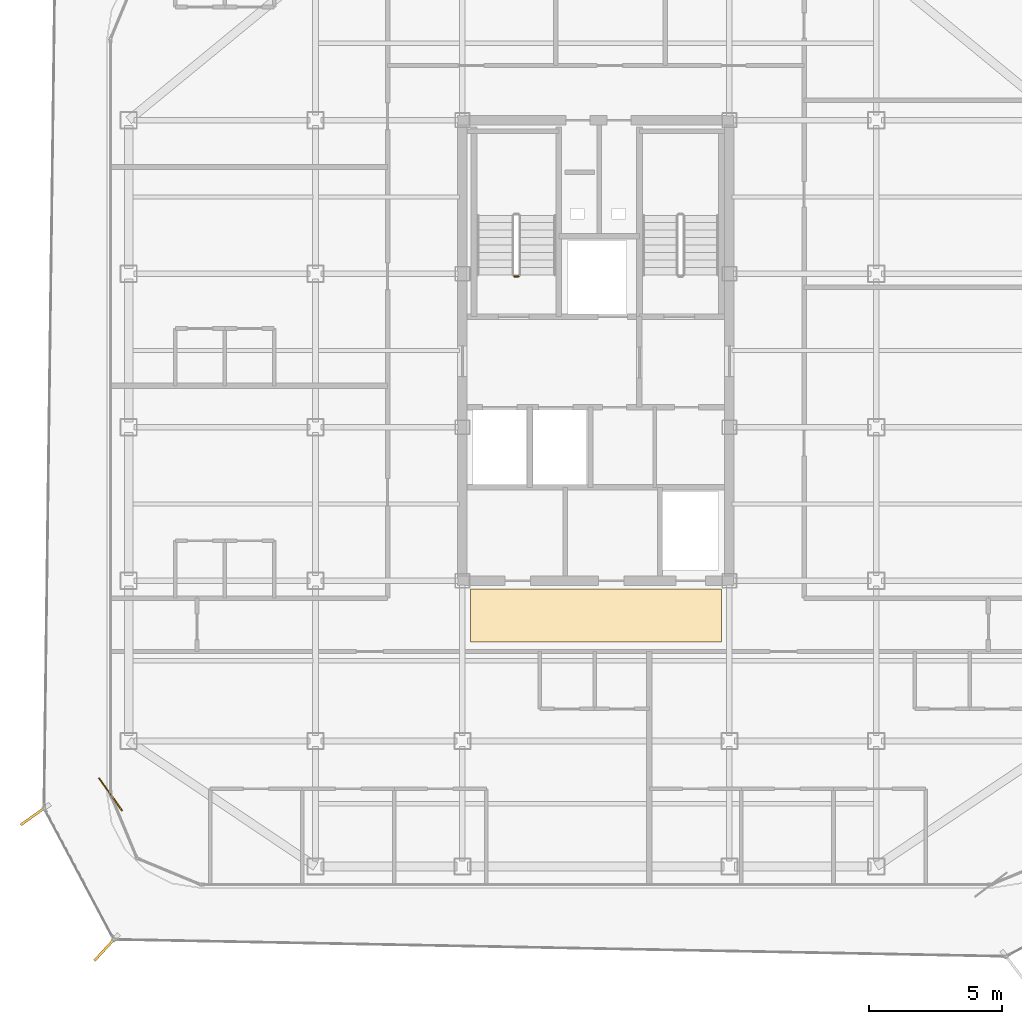
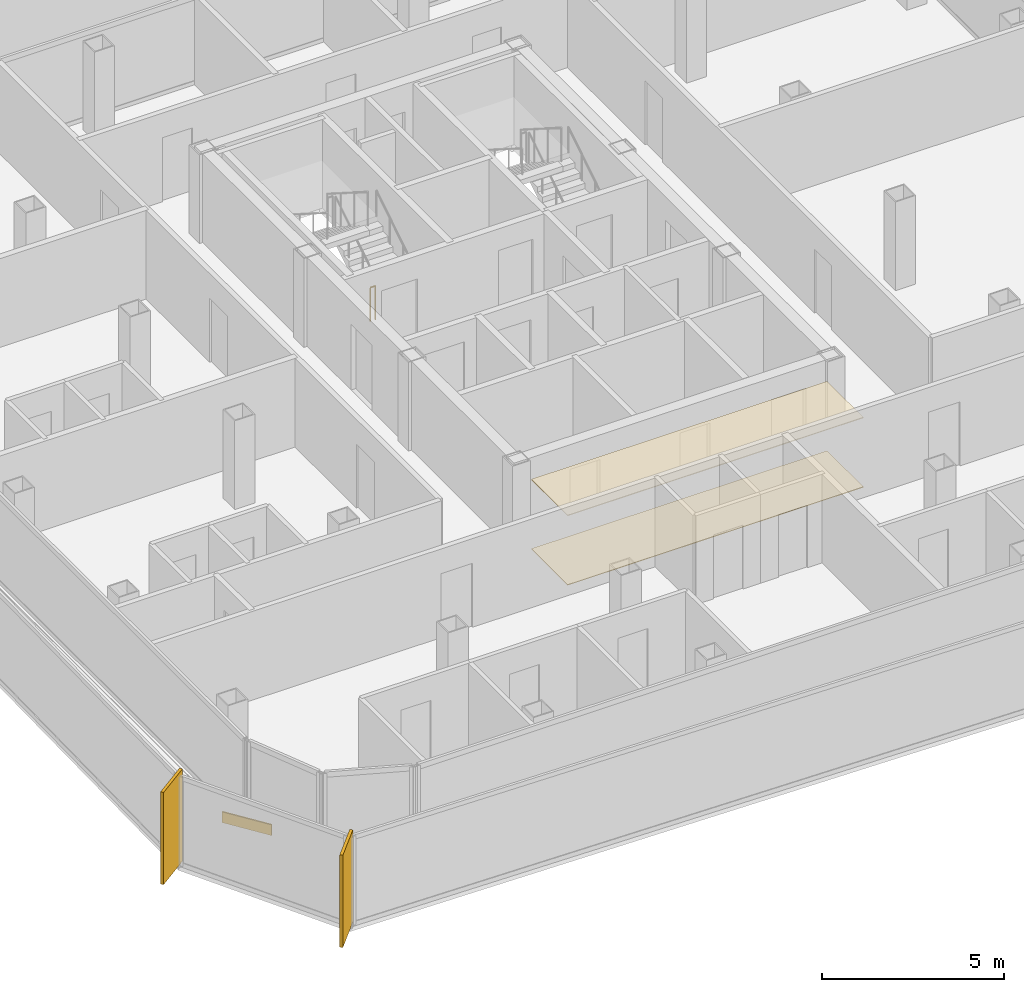
# One storey, part 13 of 15: 3 coverings, 2 shading devices, 1 railing.
"""IFC4 building model written with IfcOpenShell, lengths in metres."""

from ifc_helpers import new_model, si_unit, direction, frame, origin, origin_2d, place, context, subcontext, project, spatial, polyline, rectangle, circle, outline, extrude, source, transform, mapped, material, layer, layer_set, type_object, element, save


model = new_model("IFC4")

# Units and contexts
model_context = context("Model", 3, precision=1e-05, world=origin(), true_north=direction((0.0, 1.0)))
body_context = subcontext(model_context, "Body", "Model", "MODEL_VIEW")
ifc_project = project(units=[si_unit("LENGTHUNIT", "METRE"), si_unit("AREAUNIT", "SQUARE_METRE"), si_unit("VOLUMEUNIT", "CUBIC_METRE"), si_unit("PLANEANGLEUNIT", "RADIAN"), si_unit("MASSUNIT", "GRAM", prefix="KILO")], contexts=[model_context])

# Site, building, storey
site_placement = place(None, origin())
site = spatial("IfcSite", under=ifc_project, at=site_placement, CompositionType="ELEMENT")
building_placement = place(site_placement, origin())
building = spatial("IfcBuilding", under=site, at=building_placement, Name="Kolveth Station Tower", CompositionType="ELEMENT")
storey_placement = place(building_placement, frame((0.0, 0.0, 261.699951171875)))
storey = spatial("IfcBuildingStorey", under=building, at=storey_placement, Name="L75", CompositionType="ELEMENT", Elevation=261.699951171875)

# Coverings
ifc_material_1 = material(Name="Acoustic mineral-fibre ceiling tile")
ifc_layer_1 = layer(ifc_material_1, 0.02490234375)
ifc_layer_set_1 = layer_set([ifc_layer_1], Name="Acoustic mineral-fibre ceiling tile")
covering_type_1 = type_object("IfcCoveringType", Name="Ceil_CL1", PredefinedType="CEILING", material=ifc_layer_set_1)
covering_1_placement = place(storey_placement, frame((0.0, 0.0, 2.330078125)))
element("IfcCovering", 1, at=covering_1_placement, inside=storey, type_object=covering_type_1, Name="L75 Lift Lobby Suspended Ceiling", PredefinedType="CEILING", context=body_context, shape_type="SweptSolid", body=[
    extrude(outline(polyline([(18.800048828125, 9.199951171875), (28.199951171875, 9.199951171875), (28.199951171875, 11.199951171875), (18.800048828125, 11.199951171875), (18.800048828125, 9.199951171875)])), origin(), (0.0, 0.0, 1.0), 0.02490234375),
])
ifc_material_2 = material(Name="Honed terrazzo flooring")
ifc_layer_2 = layer(ifc_material_2, 0.02001953125)
ifc_layer_set_2 = layer_set([ifc_layer_2], Name="Honed terrazzo flooring")
covering_type_2 = type_object("IfcCoveringType", Name="Floor_FL1", PredefinedType="FLOORING", material=ifc_layer_set_2)
covering_2_placement = place(storey_placement, origin())
element("IfcCovering", 2, at=covering_2_placement, inside=storey, type_object=covering_type_2, Name="L75 Lift Lobby Floor Finish", PredefinedType="FLOORING", context=body_context, shape_type="SweptSolid", body=[
    extrude(outline(polyline([(18.800048828125, 9.199951171875), (28.199951171875, 9.199951171875), (28.199951171875, 11.199951171875), (18.800048828125, 11.199951171875), (18.800048828125, 9.199951171875)])), origin(), (0.0, 0.0, 1.0), 0.02001953125),
])

# Railing
ifc_material_3 = material(Name="Painted Steel S355 balustrade", Category="steel")
railing_type = type_object("IfcRailingType", Name="Guard_GR2", PredefinedType="BALUSTRADE", material=ifc_material_3)
railing_placement = place(storey_placement, frame((20.60009765625, 22.89990234375, 0.0)))
element("IfcRailing", 3, at=railing_placement, inside=storey, type_object=railing_type, Name="L75 ST1 stair guard 4", PredefinedType="BALUSTRADE", context=body_context, shape_type="SweptSolid", body=[
    extrude(circle(Radius=0.02392578125, at=origin_2d()), frame((0.0, 0.0, 1.1259765625), z_axis=(-1.0, 0.0, 0.0), x_axis=(0.0, -1.0, 0.0)), (0.0, 0.0, 1.0), 0.16015625),
    extrude(circle(Radius=0.02099609375, at=origin_2d()), origin(), (0.0, 0.0, 1.0), 1.101806640625),
    extrude(circle(Radius=0.02099609375, at=origin_2d()), frame((-0.16015625, 0.0, 0.0)), (0.0, 0.0, 1.0), 1.101806640625),
])

# Shading devices
ifc_material_4 = material(Name="Black anodized aluminium 6063-T6", Category="aluminium")
shading_device_type = type_object("IfcShadingDeviceType", Name="FIN_VF1", PredefinedType="USERDEFINED", material=ifc_material_4)
shared_shape_1 = source(origin(), body_context, "Body", "SweptSolid", [
    extrude(rectangle(XDim=1.25, YDim=0.090087890625, at=origin_2d()), origin(), (0.0, 0.0, 1.0), 3.10009765625),
])
for number, where, z_axis, x_axis, name in (
    (4, (2.466064453125, 2.716064453125, 0.0), (0.0, 0.0, 1.0), (-0.815329953339, -0.578996603779, 0.0), "L75 Dark-Aluminium Solar Fin 7"),
    (5, (5.14208984375, -2.26904296875, 0.0), (0.0, 0.0, 1.0), (-0.677774776543, -0.735269577966, 0.0), "L75 Dark-Aluminium Solar Fin 8"),
):
    element("IfcShadingDevice", number, at=place(storey_placement, frame(where, z_axis=z_axis, x_axis=x_axis)), inside=storey, type_object=shading_device_type, Name=name, ObjectType="FIN", PredefinedType="USERDEFINED", context=body_context, shape_type="MappedRepresentation", body=[
        mapped(shared_shape_1, transform((0.0, 0.0, 0.0), x_axis=(1.0, 0.0, 0.0), y_axis=(0.0, 1.0, 0.0), z_axis=(0.0, 0.0, 1.0), scale=1.0)),
    ])

# Covering
ifc_material_5 = material(Name="Charcoal anodized aluminium spandrel cladding", Category="aluminium")
ifc_layer_3 = layer(ifc_material_5, 0.044921875)
ifc_layer_set_3 = layer_set([ifc_layer_3], Name="Charcoal anodized aluminium spandrel cladding")
covering_type_3 = type_object("IfcCoveringType", Name="Clad_CD1", PredefinedType="CLADDING", material=ifc_layer_set_3)
shared_shape_2 = source(origin(), body_context, "Body", "SweptSolid", [
    extrude(rectangle(XDim=1.5, YDim=0.044921875, at=origin_2d()), origin(), (0.0, 0.0, 1.0), 0.360107421875),
])
covering_3_placement = place(storey_placement, frame((5.320068359375, 3.5, 0.0), z_axis=(0.0, 0.0, 1.0), x_axis=(0.578996603779, -0.815329953339, 0.0)))
element("IfcCovering", 6, at=covering_3_placement, inside=storey, type_object=covering_type_3, Name="L75 Spandrel Edge Cladding 7", PredefinedType="CLADDING", context=body_context, shape_type="MappedRepresentation", body=[
    mapped(shared_shape_2, transform((0.0, 0.0, 0.0), x_axis=(1.0, 0.0, 0.0), y_axis=(0.0, 1.0, 0.0), z_axis=(0.0, 0.0, 1.0), scale=1.0)),
])

save(model, "model.ifc")
